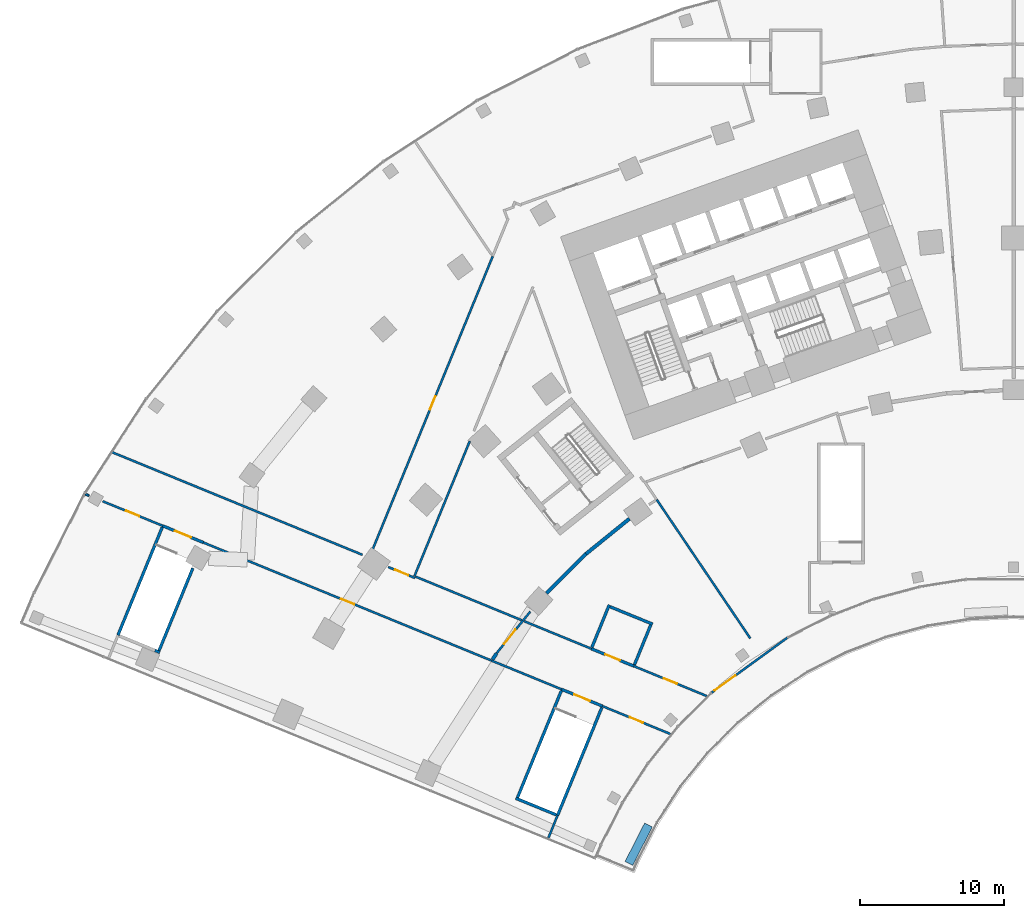
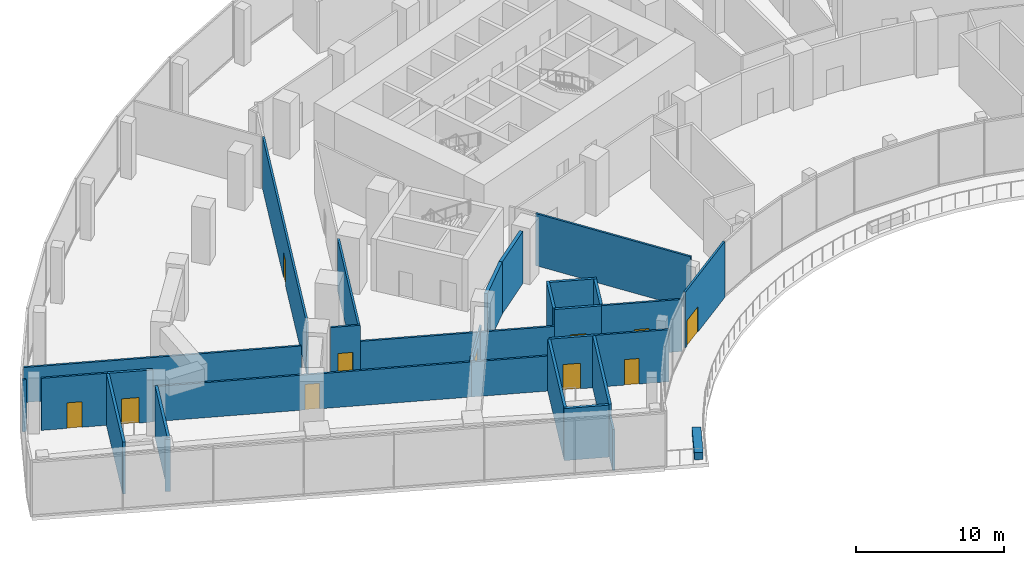
# One storey, part 22 of 33: 33 walls, 11 doors, 11 openings.
"""IFC4 building model written with IfcOpenShell, lengths in metres."""

from ifc_helpers import new_model, si_unit, direction, frame, frame_2d, origin, origin_2d, place, context, subcontext, project, spatial, rectangle, extrude, material, layer, layer_set, type_object, element, fill, save


model = new_model("IFC4")

# Units and contexts
model_context = context("Model", 3, precision=1e-05, world=origin(), true_north=direction((0.0, 1.0)))
body_context = subcontext(model_context, "Body", "Model", "MODEL_VIEW")
ifc_project = project(units=[si_unit("LENGTHUNIT", "METRE"), si_unit("AREAUNIT", "SQUARE_METRE"), si_unit("VOLUMEUNIT", "CUBIC_METRE"), si_unit("PLANEANGLEUNIT", "RADIAN"), si_unit("MASSUNIT", "GRAM", prefix="KILO")], contexts=[model_context])

# Site, building, storey
site_placement = place(None, origin())
site = spatial("IfcSite", under=ifc_project, at=site_placement, CompositionType="ELEMENT")
building_placement = place(site_placement, origin())
building = spatial("IfcBuilding", under=site, at=building_placement, Name="Stone Belt Terrace Tower", CompositionType="ELEMENT")
storey_placement = place(building_placement, frame((0.0, 0.0, 25.39990234375)))
storey = spatial("IfcBuildingStorey", under=building, at=storey_placement, Name="L05", CompositionType="ELEMENT", Elevation=25.39990234375)

# Wall, opening, door
ifc_material_1 = material(Name="Terracotta coloured glazed ceramic", Category="masonry")
ifc_layer_1 = layer(ifc_material_1, 0.14990234375)
ifc_layer_set_1 = layer_set([ifc_layer_1], Name="Ceramic rain-screen wall 150")
wall_type_1 = type_object("IfcWallType", Name="Ceramic rain-screen wall 150", PredefinedType="SOLIDWALL", material=ifc_layer_set_1)
wall_1_placement = place(storey_placement, frame((-20.999755859375, 23.372802734375, 0.0), z_axis=(0.0, 0.0, 1.0), x_axis=(0.80900554442, 0.587801011481, 0.0)))
wall_1 = element("IfcWall", 1, at=wall_1_placement, inside=storey, type_object=wall_type_1, Name="Door wall L05", PredefinedType="SOLIDWALL", context=body_context, shape_type="SweptSolid", body=[
    extrude(rectangle(XDim=6.501708984375, YDim=0.14990234375, at=frame_2d((3.2509765625, 0.0))), origin(), (0.0, 0.0, 1.0), 4.60009765625),
])
opening_1_placement = place(wall_1_placement, frame((0.25, 0.0, 0.0)))
opening_1 = element("IfcOpeningElement", 2, at=opening_1_placement, cuts=wall_1, Name="Opening L05-E01", PredefinedType="OPENING", context=body_context, shape_type="SweptSolid", body=[
    extrude(rectangle(XDim=1.800048828125, YDim=2.10009765625, at=frame_2d((0.89990234375, 1.050048828125))), frame((0.0, 0.0849609375, 0.0), z_axis=(0.0, -1.0, 0.0), x_axis=(1.0, 0.0, 0.0)), (0.0, 0.0, 1.0), 0.169921875),
])
ifc_material_2 = material(Name="Anodised aluminium glazed door", Category="aluminium")
door_type_1 = type_object("IfcDoorType", Name="Terrace double door 1800 x 2100", OperationType="DOUBLE_DOOR_DOUBLE_SWING", PredefinedType="DOOR", material=ifc_material_2)
door_1_placement = place(opening_1_placement, origin())
door_1 = element("IfcDoor", 3, at=door_1_placement, inside=storey, type_object=door_type_1, Name="Terrace door L05", OperationType="DOUBLE_DOOR_DOUBLE_SWING", OverallHeight=2.10009765625, OverallWidth=1.800048828125, PredefinedType="DOOR", context=body_context, shape_type="SweptSolid", body=[
    extrude(rectangle(XDim=1.800048828125, YDim=2.10009765625, at=frame_2d((0.89990234375, 1.050048828125))), frame((0.0, 0.02490234375, 0.0), z_axis=(0.0, -1.0, 0.0), x_axis=(1.0, 0.0, 0.0)), (0.0, 0.0, 1.0), 0.050048828125),
])
fill(opening_1, door_1)

# Walls
ifc_material_3 = material(Name="Concrete B30", Category="concrete")
ifc_layer_2 = layer(ifc_material_3, 0.25)
ifc_layer_set_2 = layer_set([ifc_layer_2], Name="Compartment wall 250")
wall_type_2 = type_object("IfcWallType", Name="Compartment wall 250", PredefinedType="SOLIDWALL", material=ifc_layer_set_2)
wall_2_placement = place(storey_placement, frame((-32.4853515625, 30.28466796875, 0.0), z_axis=(0.0, 0.0, 1.0), x_axis=(0.707106781187, 0.707106781187, 0.0)))
element("IfcWall", 4, at=wall_2_placement, inside=storey, type_object=wall_type_2, Name="Compartment wall L05 2", PredefinedType="SOLIDWALL", context=body_context, shape_type="SweptSolid", body=[
    extrude(rectangle(XDim=3.8759765625, YDim=0.25, at=frame_2d((1.93798828125, 0.0))), origin(), (0.0, 0.0, 1.0), 4.280029296875),
])
wall_3_placement = place(storey_placement, frame((-29.73486328125, 33.0341796875, 0.0), z_axis=(0.0, 0.0, 1.0), x_axis=(0.777272744525, 0.629163794746, 0.0)))
element("IfcWall", 5, at=wall_3_placement, inside=storey, type_object=wall_type_2, Name="Compartment wall L05 3", PredefinedType="SOLIDWALL", context=body_context, shape_type="SweptSolid", body=[
    extrude(rectangle(XDim=3.875244140625, YDim=0.25, at=frame_2d((1.9375, 0.0))), origin(), (0.0, 0.0, 1.0), 4.280029296875),
])
ifc_material_4 = material(Name="Fire-resistant glazing in steel frame", Category="steel")
ifc_layer_3 = layer(ifc_material_4, 0.25)
ifc_layer_set_3 = layer_set([ifc_layer_3], Name="Glazed compartment fire screen 250")
wall_type_3 = type_object("IfcWallType", Name="Glazed compartment fire screen 250", PredefinedType="PARTITIONING", material=ifc_layer_set_3)
wall_4_placement = place(storey_placement, frame((-36.2451171875, 25.68408203125, 0.0), z_axis=(0.0, 0.0, 1.0), x_axis=(0.547453853433, 0.836835873013, 0.0)))
element("IfcWall", 6, at=wall_4_placement, inside=storey, type_object=wall_type_3, Name="Compartment fire screen L05 1", PredefinedType="PARTITIONING", context=body_context, shape_type="SweptSolid", body=[
    extrude(rectangle(XDim=0.5146484375, YDim=0.25, at=frame_2d((0.25732421875, 0.0))), origin(), (0.0, 0.0, 1.0), 2.880126953125),
])
ifc_material_5 = material(Name="Precast concrete C40/50", Category="concrete")
ifc_layer_4 = layer(ifc_material_5, 0.60009765625)
ifc_layer_set_4 = layer_set([ifc_layer_4], Name="Planter box 600 x 600")
wall_type_4 = type_object("IfcWallType", Name="Planter box 600 x 600", PredefinedType="SOLIDWALL", material=ifc_layer_set_4)
wall_5_placement = place(storey_placement, frame((-26.077880859375, 12.83154296875, 0.0), z_axis=(0.0, 0.0, 1.0), x_axis=(0.45399049974, 0.891006524188, 0.0)))
element("IfcWall", 7, at=wall_5_placement, inside=storey, type_object=wall_type_4, Name="PLANTER L05 1", PredefinedType="SOLIDWALL", context=body_context, shape_type="SweptSolid", body=[
    extrude(rectangle(XDim=3.0, YDim=0.60009765625, at=origin_2d()), origin(), (0.0, 0.0, 1.0), 0.60009765625),
])
ifc_material_6 = material(Name="Reinforced blockwork wall, plastered both faces", Category="masonry")
ifc_layer_5 = layer(ifc_material_6, 0.199951171875)
ifc_layer_set_5 = layer_set([ifc_layer_5], Name="Podium lift shaft wall 200")
wall_type_5 = type_object("IfcWallType", Name="Podium lift shaft wall 200", PredefinedType="SOLIDWALL", material=ifc_layer_set_5)
wall_6_placement = place(storey_placement, frame((-29.332275390625, 26.522705078125, 0.0), z_axis=(0.0, 0.0, 1.0), x_axis=(0.378383111571, 0.92564908085, 0.0)))
element("IfcWall", 8, at=wall_6_placement, inside=storey, type_object=wall_type_5, Name="Podium lift shaft wall 200", PredefinedType="SOLIDWALL", context=body_context, shape_type="SweptSolid", body=[
    extrude(rectangle(XDim=3.19775390625, YDim=0.199951171875, at=frame_2d((1.598876953125, 0.0))), origin(), (0.0, 0.0, 1.0), 4.280029296875),
])

# Wall, opening, door
wall_7_placement = place(storey_placement, frame((-29.3701171875, 26.429931640625, 0.0), z_axis=(0.0, 0.0, 1.0), x_axis=(0.92564908085, -0.378383111571, 0.0)))
wall_7 = element("IfcWall", 9, at=wall_7_placement, inside=storey, type_object=wall_type_5, Name="Podium lift shaft wall 200", PredefinedType="SOLIDWALL", context=body_context, shape_type="SweptSolid", body=[
    extrude(rectangle(XDim=3.19775390625, YDim=0.199951171875, at=frame_2d((1.598876953125, 0.0))), origin(), (0.0, 0.0, 1.0), 4.280029296875),
])
opening_2_placement = place(wall_7_placement, frame((1.048828125, 0.0, 0.0)))
opening_2 = element("IfcOpeningElement", 10, at=opening_2_placement, cuts=wall_7, Name="Opening L05-P09", PredefinedType="OPENING", context=body_context, shape_type="SweptSolid", body=[
    extrude(rectangle(XDim=1.10009765625, YDim=2.10009765625, at=frame_2d((0.550048828125, 1.050048828125))), frame((0.0, 0.10986328125, 0.0), z_axis=(0.0, -1.0, 0.0), x_axis=(1.0, 0.0, 0.0)), (0.0, 0.0, 1.0), 0.219970703125),
])
ifc_material_7 = material(Name="Stainless steel sliding landing door leaf", Category="steel")
door_type_2 = type_object("IfcDoorType", Name="Podium landing door 1100", OperationType="SLIDING_TO_LEFT", PredefinedType="DOOR", material=ifc_material_7)
door_2_placement = place(opening_2_placement, origin())
door_2 = element("IfcDoor", 11, at=door_2_placement, inside=storey, type_object=door_type_2, Name="Podium landing door 1100", OperationType="SLIDING_TO_LEFT", OverallHeight=2.10009765625, OverallWidth=1.10009765625, PredefinedType="DOOR", context=body_context, shape_type="SweptSolid", body=[
    extrude(rectangle(XDim=1.10009765625, YDim=2.10009765625, at=frame_2d((0.550048828125, 1.050048828125))), frame((0.0, 0.02490234375, 0.0), z_axis=(0.0, -1.0, 0.0), x_axis=(1.0, 0.0, 0.0)), (0.0, 0.0, 1.0), 0.050048828125),
])
fill(opening_2, door_2)

# Walls
wall_8_placement = place(storey_placement, frame((-28.0673828125, 29.352294921875, 0.0), z_axis=(0.0, 0.0, 1.0), x_axis=(0.925622338254, -0.378448526124, 0.0)))
element("IfcWall", 12, at=wall_8_placement, inside=storey, type_object=wall_type_5, Name="Podium lift shaft wall 200", PredefinedType="SOLIDWALL", context=body_context, shape_type="SweptSolid", body=[
    extrude(rectangle(XDim=3.19775390625, YDim=0.199951171875, at=frame_2d((1.598876953125, 0.0))), origin(), (0.0, 0.0, 1.0), 4.280029296875),
])
wall_9_placement = place(storey_placement, frame((-26.372314453125, 25.3125, 0.0), z_axis=(0.0, 0.0, 1.0), x_axis=(0.378442575395, 0.925624771237, 0.0)))
element("IfcWall", 13, at=wall_9_placement, inside=storey, type_object=wall_type_5, Name="Podium lift shaft wall 200", PredefinedType="SOLIDWALL", context=body_context, shape_type="SweptSolid", body=[
    extrude(rectangle(XDim=2.997802734375, YDim=0.199951171875, at=frame_2d((1.4990234375, 0.0))), origin(), (0.0, 0.0, 1.0), 4.280029296875),
])
ifc_material_8 = material(Name="Gypsum board on steel stud partition", Category="steel")
ifc_layer_6 = layer(ifc_material_8, 0.14990234375)
ifc_layer_set_6 = layer_set([ifc_layer_6], Name="Podium partition 150")
wall_type_6 = type_object("IfcWallType", Name="Podium partition 150", PredefinedType="PARTITIONING", material=ifc_layer_set_6)
wall_10_placement = place(storey_placement, frame((-64.56005859375, 37.179931640625, 0.0), z_axis=(0.0, 0.0, 1.0), x_axis=(0.92567790555, -0.378312589238, 0.0)))
element("IfcWall", 14, at=wall_10_placement, inside=storey, type_object=wall_type_6, Name="Podium partition 150", PredefinedType="PARTITIONING", context=body_context, shape_type="SweptSolid", body=[
    extrude(rectangle(XDim=0.26708984375, YDim=0.14990234375, at=frame_2d((0.133544921875, 0.0))), origin(), (0.0, 0.0, 1.0), 4.280029296875),
])

# Wall, opening, door
wall_11_placement = place(storey_placement, frame((-63.36962890625, 36.693115234375, 0.0), z_axis=(0.0, 0.0, 1.0), x_axis=(0.925603654014, -0.378494221458, 0.0)))
wall_11 = element("IfcWall", 15, at=wall_11_placement, inside=storey, type_object=wall_type_6, Name="Podium partition 150", PredefinedType="PARTITIONING", context=body_context, shape_type="SweptSolid", body=[
    extrude(rectangle(XDim=4.526123046875, YDim=0.14990234375, at=frame_2d((2.26318359375, 0.0))), origin(), (0.0, 0.0, 1.0), 4.280029296875),
])
opening_3_placement = place(wall_11_placement, frame((1.76318359375, 0.0, 0.0)))
opening_3 = element("IfcOpeningElement", 16, at=opening_3_placement, cuts=wall_11, Name="Opening L05-P21", PredefinedType="OPENING", context=body_context, shape_type="SweptSolid", body=[
    extrude(rectangle(XDim=1.0, YDim=2.10009765625, at=frame_2d((0.5, 1.050048828125))), frame((0.0, 0.0849609375, 0.0), z_axis=(0.0, -1.0, 0.0), x_axis=(1.0, 0.0, 0.0)), (0.0, 0.0, 1.0), 0.169921875),
])
ifc_material_9 = material(Name="Steel framed door leaf", Category="steel")
door_type_3 = type_object("IfcDoorType", Name="Podium door single 1000", OperationType="SINGLE_SWING_LEFT", PredefinedType="DOOR", material=ifc_material_9)
door_3_placement = place(opening_3_placement, origin())
door_3 = element("IfcDoor", 17, at=door_3_placement, inside=storey, type_object=door_type_3, Name="Podium door single 1000", OperationType="SINGLE_SWING_LEFT", OverallHeight=2.10009765625, OverallWidth=1.0, PredefinedType="DOOR", context=body_context, shape_type="SweptSolid", body=[
    extrude(rectangle(XDim=1.0, YDim=2.10009765625, at=frame_2d((0.5, 1.050048828125))), frame((0.0, 0.02490234375, 0.0), z_axis=(0.0, -1.0, 0.0), x_axis=(1.0, 0.0, 0.0)), (0.0, 0.0, 1.0), 0.050048828125),
])
fill(opening_3, door_3)

# Wall
wall_12_placement = place(storey_placement, frame((-62.77001953125, 40.126953125, 0.0), z_axis=(0.0, 0.0, 1.0), x_axis=(0.925299264419, -0.379237750318, 0.0)))
element("IfcWall", 18, at=wall_12_placement, inside=storey, type_object=wall_type_6, Name="Podium partition 150", PredefinedType="PARTITIONING", context=body_context, shape_type="SweptSolid", body=[
    extrude(rectangle(XDim=18.887451171875, YDim=0.14990234375, at=frame_2d((9.44384765625, 0.0))), origin(), (0.0, 0.0, 1.0), 2.880126953125),
])

# Wall, opening, door
wall_13_placement = place(storey_placement, frame((-56.360107421875, 33.820068359375, 0.0), z_axis=(0.0, 0.0, 1.0), x_axis=(0.925327227709, -0.379169515733, 0.0)))
wall_13 = element("IfcWall", 19, at=wall_13_placement, inside=storey, type_object=wall_type_6, Name="Podium partition 150", PredefinedType="PARTITIONING", context=body_context, shape_type="SweptSolid", body=[
    extrude(rectangle(XDim=21.678955078125, YDim=0.14990234375, at=frame_2d((10.83935546875, 0.0))), origin(), (0.0, 0.0, 1.0), 2.880126953125),
])
opening_4_placement = place(wall_13_placement, frame((10.33935546875, 0.0, 0.0)))
opening_4 = element("IfcOpeningElement", 20, at=opening_4_placement, cuts=wall_13, Name="Opening L05-P20", PredefinedType="OPENING", context=body_context, shape_type="SweptSolid", body=[
    extrude(rectangle(XDim=1.0, YDim=2.10009765625, at=frame_2d((0.5, 1.050048828125))), frame((0.0, 0.0849609375, 0.0), z_axis=(0.0, -1.0, 0.0), x_axis=(1.0, 0.0, 0.0)), (0.0, 0.0, 1.0), 0.169921875),
])
door_4_placement = place(opening_4_placement, origin())
door_4 = element("IfcDoor", 21, at=door_4_placement, inside=storey, type_object=door_type_3, Name="Podium door single 1000", OperationType="SINGLE_SWING_RIGHT", OverallHeight=2.10009765625, OverallWidth=1.0, PredefinedType="DOOR", context=body_context, shape_type="SweptSolid", body=[
    extrude(rectangle(XDim=1.0, YDim=2.10009765625, at=frame_2d((0.5, 1.050048828125))), frame((0.0, 0.02490234375, 0.0), z_axis=(0.0, -1.0, 0.0), x_axis=(1.0, 0.0, 0.0)), (0.0, 0.0, 1.0), 0.050048828125),
])
fill(opening_4, door_4)

wall_14_placement = place(storey_placement, frame((-43.498779296875, 32.112548828125, 0.0), z_axis=(0.0, 0.0, 1.0), x_axis=(0.925401628823, -0.378987896077, 0.0)))
wall_14 = element("IfcWall", 22, at=wall_14_placement, inside=storey, type_object=wall_type_6, Name="Podium partition 150", PredefinedType="PARTITIONING", context=body_context, shape_type="SweptSolid", body=[
    extrude(rectangle(XDim=2.008056640625, YDim=0.14990234375, at=frame_2d((1.00390625, 0.0))), origin(), (0.0, 0.0, 1.0), 4.280029296875),
])
opening_5_placement = place(wall_14_placement, frame((0.504150390625, 0.0, 0.0)))
opening_5 = element("IfcOpeningElement", 23, at=opening_5_placement, cuts=wall_14, Name="Opening L05-P39", PredefinedType="OPENING", context=body_context, shape_type="SweptSolid", body=[
    extrude(rectangle(XDim=1.0, YDim=2.10009765625, at=frame_2d((0.5, 1.050048828125))), frame((0.0, 0.0849609375, 0.0), z_axis=(0.0, -1.0, 0.0), x_axis=(1.0, 0.0, 0.0)), (0.0, 0.0, 1.0), 0.169921875),
])
door_5_placement = place(opening_5_placement, origin())
door_5 = element("IfcDoor", 24, at=door_5_placement, inside=storey, type_object=door_type_3, Name="Podium door single 1000", OperationType="SINGLE_SWING_LEFT", OverallHeight=2.10009765625, OverallWidth=1.0, PredefinedType="DOOR", context=body_context, shape_type="SweptSolid", body=[
    extrude(rectangle(XDim=1.0, YDim=2.10009765625, at=frame_2d((0.5, 1.050048828125))), frame((0.0, 0.02490234375, 0.0), z_axis=(0.0, -1.0, 0.0), x_axis=(1.0, 0.0, 0.0)), (0.0, 0.0, 1.0), 0.050048828125),
])
fill(opening_5, door_5)

wall_15_placement = place(storey_placement, frame((-44.58056640625, 33.3447265625, 0.0), z_axis=(0.0, 0.0, 1.0), x_axis=(0.379066925484, 0.925369259271, 0.0)))
wall_15 = element("IfcWall", 25, at=wall_15_placement, inside=storey, type_object=wall_type_6, Name="Podium partition 150", PredefinedType="PARTITIONING", context=body_context, shape_type="SweptSolid", body=[
    extrude(rectangle(XDim=22.029296875, YDim=0.14990234375, at=frame_2d((11.0146484375, 0.0))), origin(), (0.0, 0.0, 1.0), 4.280029296875),
])
opening_6_placement = place(wall_15_placement, frame((10.5146484375, 0.0, 0.0)))
opening_6 = element("IfcOpeningElement", 26, at=opening_6_placement, cuts=wall_15, Name="Opening L05-P25", PredefinedType="OPENING", context=body_context, shape_type="SweptSolid", body=[
    extrude(rectangle(XDim=1.0, YDim=2.10009765625, at=frame_2d((0.5, 1.050048828125))), frame((0.0, 0.0849609375, 0.0), z_axis=(0.0, -1.0, 0.0), x_axis=(1.0, 0.0, 0.0)), (0.0, 0.0, 1.0), 0.169921875),
])
door_6_placement = place(opening_6_placement, origin())
door_6 = element("IfcDoor", 27, at=door_6_placement, inside=storey, type_object=door_type_3, Name="Podium door single 1000", OperationType="SINGLE_SWING_LEFT", OverallHeight=2.10009765625, OverallWidth=1.0, PredefinedType="DOOR", context=body_context, shape_type="SweptSolid", body=[
    extrude(rectangle(XDim=1.0, YDim=2.10009765625, at=frame_2d((0.5, 1.050048828125))), frame((0.0, 0.02490234375, 0.0), z_axis=(0.0, -1.0, 0.0), x_axis=(1.0, 0.0, 0.0)), (0.0, 0.0, 1.0), 0.050048828125),
])
fill(opening_6, door_6)

# Walls
wall_16_placement = place(storey_placement, frame((-41.679931640625, 31.469970703125, 0.0), z_axis=(0.0, 0.0, 1.0), x_axis=(0.379243967023, 0.925296716452, 0.0)))
element("IfcWall", 28, at=wall_16_placement, inside=storey, type_object=wall_type_6, Name="Podium partition 150", PredefinedType="PARTITIONING", context=body_context, shape_type="SweptSolid", body=[
    extrude(rectangle(XDim=10.171875, YDim=0.14990234375, at=frame_2d((5.0859375, 0.0))), origin(), (0.0, 0.0, 1.0), 4.280029296875),
])
wall_17_placement = place(storey_placement, frame((-41.60595703125, 31.44970703125, 0.0), z_axis=(0.0, 0.0, 1.0), x_axis=(0.925056479715, -0.379829579334, 0.0)))
element("IfcWall", 29, at=wall_17_placement, inside=storey, type_object=wall_type_6, Name="Podium partition 150", PredefinedType="PARTITIONING", context=body_context, shape_type="SweptSolid", body=[
    extrude(rectangle(XDim=7.981201171875, YDim=0.14990234375, at=frame_2d((3.99072265625, 0.0))), origin(), (0.0, 0.0, 1.0), 2.880126953125),
])
wall_18_placement = place(storey_placement, frame((-36.300048828125, 25.60009765625, 0.0), z_axis=(0.0, 0.0, 1.0), x_axis=(0.92530860032, -0.379214970925, 0.0)))
element("IfcWall", 30, at=wall_18_placement, inside=storey, type_object=wall_type_6, Name="Podium partition 150", PredefinedType="PARTITIONING", context=body_context, shape_type="SweptSolid", body=[
    extrude(rectangle(XDim=5.274169921875, YDim=0.14990234375, at=frame_2d((2.63720703125, 0.0))), origin(), (0.0, 0.0, 1.0), 2.880126953125),
])

# Wall, opening, door
wall_19_placement = place(storey_placement, frame((-35.95751953125, 26.123046875, 0.0), z_axis=(0.0, 0.0, 1.0), x_axis=(0.629338486516, 0.777131307688, 0.0)))
wall_19 = element("IfcWall", 31, at=wall_19_placement, inside=storey, type_object=wall_type_6, Name="Podium partition 150", PredefinedType="PARTITIONING", context=body_context, shape_type="SweptSolid", body=[
    extrude(rectangle(XDim=2.904052734375, YDim=0.14990234375, at=frame_2d((1.4521484375, 0.0))), origin(), (0.0, 0.0, 1.0), 2.880126953125),
])
opening_7_placement = place(wall_19_placement, frame((0.802001953125, 0.0, 0.0)))
opening_7 = element("IfcOpeningElement", 32, at=opening_7_placement, cuts=wall_19, Name="Opening L05-P41", PredefinedType="OPENING", context=body_context, shape_type="SweptSolid", body=[
    extrude(rectangle(XDim=1.300048828125, YDim=2.10009765625, at=frame_2d((0.64990234375, 1.050048828125))), frame((0.0, 0.0849609375, 0.0), z_axis=(0.0, -1.0, 0.0), x_axis=(1.0, 0.0, 0.0)), (0.0, 0.0, 1.0), 0.169921875),
])
ifc_material_10 = material(Name="Steel framed fire door leaf", Category="steel")
door_type_4 = type_object("IfcDoorType", Name="Fire door 1300 x 2100 EI 60", OperationType="SINGLE_SWING_LEFT", PredefinedType="DOOR", material=ifc_material_10)
door_7_placement = place(opening_7_placement, origin())
door_7 = element("IfcDoor", 33, at=door_7_placement, inside=storey, type_object=door_type_4, Name="Fire door 1300 x 2100 EI 60", OperationType="SINGLE_SWING_LEFT", OverallHeight=2.10009765625, OverallWidth=1.300048828125, PredefinedType="DOOR", context=body_context, shape_type="SweptSolid", body=[
    extrude(rectangle(XDim=1.300048828125, YDim=2.10009765625, at=frame_2d((0.64990234375, 1.050048828125))), frame((0.0, 0.02490234375, 0.0), z_axis=(0.0, -1.0, 0.0), x_axis=(1.0, 0.0, 0.0)), (0.0, 0.0, 1.0), 0.050048828125),
])
fill(opening_7, door_7)

# Walls
wall_20_placement = place(storey_placement, frame((-34.1298828125, 28.3798828125, 0.0), z_axis=(0.0, 0.0, 1.0), x_axis=(0.628683813454, 0.777661020433, 0.0)))
element("IfcWall", 34, at=wall_20_placement, inside=storey, type_object=wall_type_6, Name="Podium partition 150", PredefinedType="PARTITIONING", context=body_context, shape_type="SweptSolid", body=[
    extrude(rectangle(XDim=0.8193359375, YDim=0.14990234375, at=frame_2d((0.40966796875, 0.0))), origin(), (0.0, 0.0, 1.0), 2.880126953125),
])
wall_21_placement = place(storey_placement, frame((-34.037109375, 28.342041015625, 0.0), z_axis=(0.0, 0.0, 1.0), x_axis=(0.92534634478, -0.379122858983, 0.0)))
element("IfcWall", 35, at=wall_21_placement, inside=storey, type_object=wall_type_6, Name="Podium partition 150", PredefinedType="PARTITIONING", context=body_context, shape_type="SweptSolid", body=[
    extrude(rectangle(XDim=5.04345703125, YDim=0.14990234375, at=frame_2d((2.521728515625, 0.0))), origin(), (0.0, 0.0, 1.0), 2.880126953125),
])
wall_22_placement = place(storey_placement, frame((-32.360107421875, 13.260009765625, 0.0), z_axis=(0.0, 0.0, 1.0), x_axis=(0.375412514618, 0.926857833688, 0.0)))
element("IfcWall", 36, at=wall_22_placement, inside=storey, type_object=wall_type_6, Name="Podium partition 150", PredefinedType="PARTITIONING", context=body_context, shape_type="SweptSolid", body=[
    extrude(rectangle(XDim=1.70458984375, YDim=0.14990234375, at=frame_2d((0.852294921875, 0.0))), origin(), (0.0, 0.0, 1.0), 3.380126953125),
])

# Wall, opening, door
wall_23_placement = place(storey_placement, frame((-28.60009765625, 22.43994140625, 0.0), z_axis=(0.0, 0.0, 1.0), x_axis=(0.925207312128, -0.379462026539, 0.0)))
wall_23 = element("IfcWall", 37, at=wall_23_placement, inside=storey, type_object=wall_type_6, Name="Podium partition 150", PredefinedType="PARTITIONING", context=body_context, shape_type="SweptSolid", body=[
    extrude(rectangle(XDim=5.1123046875, YDim=0.14990234375, at=frame_2d((2.55615234375, 0.0))), origin(), (0.0, 0.0, 1.0), 4.280029296875),
])
opening_8_placement = place(wall_23_placement, frame((2.05615234375, 0.0, 0.0)))
opening_8 = element("IfcOpeningElement", 38, at=opening_8_placement, cuts=wall_23, Name="Opening L05-P19", PredefinedType="OPENING", context=body_context, shape_type="SweptSolid", body=[
    extrude(rectangle(XDim=1.0, YDim=2.10009765625, at=frame_2d((0.5, 1.050048828125))), frame((0.0, 0.0849609375, 0.0), z_axis=(0.0, -1.0, 0.0), x_axis=(1.0, 0.0, 0.0)), (0.0, 0.0, 1.0), 0.169921875),
])
door_8_placement = place(opening_8_placement, origin())
door_8 = element("IfcDoor", 39, at=door_8_placement, inside=storey, type_object=door_type_3, Name="Podium door single 1000", OperationType="SINGLE_SWING_LEFT", OverallHeight=2.10009765625, OverallWidth=1.0, PredefinedType="DOOR", context=body_context, shape_type="SweptSolid", body=[
    extrude(rectangle(XDim=1.0, YDim=2.10009765625, at=frame_2d((0.5, 1.050048828125))), frame((0.0, 0.02490234375, 0.0), z_axis=(0.0, -1.0, 0.0), x_axis=(1.0, 0.0, 0.0)), (0.0, 0.0, 1.0), 0.050048828125),
])
fill(opening_8, door_8)

wall_24_placement = place(storey_placement, frame((-26.409912109375, 25.219970703125, 0.0), z_axis=(0.0, 0.0, 1.0), x_axis=(0.925158990715, -0.37957982283, 0.0)))
wall_24 = element("IfcWall", 40, at=wall_24_placement, inside=storey, type_object=wall_type_6, Name="Podium partition 150", PredefinedType="PARTITIONING", context=body_context, shape_type="SweptSolid", body=[
    extrude(rectangle(XDim=5.47998046875, YDim=0.14990234375, at=frame_2d((2.739990234375, 0.0))), origin(), (0.0, 0.0, 1.0), 4.280029296875),
])
opening_9_placement = place(wall_24_placement, frame((2.239990234375, 0.0, 0.0)))
opening_9 = element("IfcOpeningElement", 41, at=opening_9_placement, cuts=wall_24, Name="Opening L05-P27", PredefinedType="OPENING", context=body_context, shape_type="SweptSolid", body=[
    extrude(rectangle(XDim=1.0, YDim=2.10009765625, at=frame_2d((0.5, 1.050048828125))), frame((0.0, 0.0849609375, 0.0), z_axis=(0.0, -1.0, 0.0), x_axis=(1.0, 0.0, 0.0)), (0.0, 0.0, 1.0), 0.169921875),
])
door_9_placement = place(opening_9_placement, origin())
door_9 = element("IfcDoor", 42, at=door_9_placement, inside=storey, type_object=door_type_3, Name="Podium door single 1000", OperationType="SINGLE_SWING_LEFT", OverallHeight=2.10009765625, OverallWidth=1.0, PredefinedType="DOOR", context=body_context, shape_type="SweptSolid", body=[
    extrude(rectangle(XDim=1.0, YDim=2.10009765625, at=frame_2d((0.5, 1.050048828125))), frame((0.0, 0.02490234375, 0.0), z_axis=(0.0, -1.0, 0.0), x_axis=(1.0, 0.0, 0.0)), (0.0, 0.0, 1.0), 0.050048828125),
])
fill(opening_9, door_9)

# Walls
wall_25_placement = place(storey_placement, frame((-24.820068359375, 36.7998046875, 0.0), z_axis=(0.0, 0.0, 1.0), x_axis=(0.559163479458, -0.829057418543, 0.0)))
element("IfcWall", 43, at=wall_25_placement, inside=storey, type_object=wall_type_6, Name="Podium partition 150", PredefinedType="PARTITIONING", context=body_context, shape_type="SweptSolid", body=[
    extrude(rectangle(XDim=11.630126953125, YDim=0.14990234375, at=frame_2d((5.81494140625, 0.0))), origin(), (0.0, 0.0, 1.0), 4.280029296875),
])
ifc_layer_7 = layer(ifc_material_3, 0.199951171875)
ifc_layer_set_7 = layer_set([ifc_layer_7], Name="Podium stair and shaft wall 200")
wall_type_7 = type_object("IfcWallType", Name="Podium stair and shaft wall 200", PredefinedType="SOLIDWALL", material=ifc_layer_set_7)
wall_26_placement = place(storey_placement, frame((-59.72998046875, 26.31298828125, 0.0), z_axis=(0.0, 0.0, 1.0), x_axis=(0.924841834944, -0.380351916438, 0.0)))
element("IfcWall", 44, at=wall_26_placement, inside=storey, type_object=wall_type_7, Name="Podium stair and shaft wall 200", PredefinedType="SOLIDWALL", context=body_context, shape_type="SweptSolid", body=[
    extrude(rectangle(XDim=0.370361328125, YDim=0.199951171875, at=frame_2d((0.18505859375, 0.0))), origin(), (0.0, 0.0, 1.0), 4.280029296875),
])
wall_27_placement = place(storey_placement, frame((-62.300048828125, 27.3701171875, 0.0), z_axis=(0.0, 0.0, 1.0), x_axis=(0.379345306329, 0.925255174839, 0.0)))
element("IfcWall", 45, at=wall_27_placement, inside=storey, type_object=wall_type_7, Name="Podium stair and shaft wall 200", PredefinedType="SOLIDWALL", context=body_context, shape_type="SweptSolid", body=[
    extrude(rectangle(XDim=8.12451171875, YDim=0.199951171875, at=frame_2d((4.062255859375, 0.0))), origin(), (0.0, 0.0, 1.0), 4.280029296875),
])
wall_28_placement = place(storey_placement, frame((-59.442138671875, 26.302490234375, 0.0), z_axis=(0.0, 0.0, 1.0), x_axis=(0.37933470683, 0.925259520456, 0.0)))
element("IfcWall", 46, at=wall_28_placement, inside=storey, type_object=wall_type_7, Name="Podium stair and shaft wall 200", PredefinedType="SOLIDWALL", context=body_context, shape_type="SweptSolid", body=[
    extrude(rectangle(XDim=6.18896484375, YDim=0.199951171875, at=frame_2d((3.094482421875, 0.0))), origin(), (0.0, 0.0, 1.0), 4.280029296875),
])

# Wall, opening, door
wall_29_placement = place(storey_placement, frame((-59.179931640625, 34.97998046875, 0.0), z_axis=(0.0, 0.0, 1.0), x_axis=(0.924815674246, -0.380415521068, 0.0)))
wall_29 = element("IfcWall", 47, at=wall_29_placement, inside=storey, type_object=wall_type_7, Name="Podium stair and shaft wall 200", PredefinedType="SOLIDWALL", context=body_context, shape_type="SweptSolid", body=[
    extrude(rectangle(XDim=3.049072265625, YDim=0.199951171875, at=frame_2d((1.5244140625, 0.0))), origin(), (0.0, 0.0, 1.0), 4.280029296875),
])
opening_10_placement = place(wall_29_placement, frame((0.924560546875, 0.0, 0.0)))
opening_10 = element("IfcOpeningElement", 48, at=opening_10_placement, cuts=wall_29, Name="Opening L05-P02", PredefinedType="OPENING", context=body_context, shape_type="SweptSolid", body=[
    extrude(rectangle(XDim=1.199951171875, YDim=2.10009765625, at=frame_2d((0.60009765625, 1.050048828125))), frame((0.0, 0.10986328125, 0.0), z_axis=(0.0, -1.0, 0.0), x_axis=(1.0, 0.0, 0.0)), (0.0, 0.0, 1.0), 0.219970703125),
])
door_type_5 = type_object("IfcDoorType", Name="Podium door fire stair 1200", OperationType="SINGLE_SWING_LEFT", PredefinedType="DOOR", material=ifc_material_9)
door_10_placement = place(opening_10_placement, origin())
door_10 = element("IfcDoor", 49, at=door_10_placement, inside=storey, type_object=door_type_5, Name="Podium door fire stair 1200", OperationType="SINGLE_SWING_RIGHT", OverallHeight=2.10009765625, OverallWidth=1.199951171875, PredefinedType="DOOR", context=body_context, shape_type="SweptSolid", body=[
    extrude(rectangle(XDim=1.199951171875, YDim=2.10009765625, at=frame_2d((0.60009765625, 1.050048828125))), frame((0.0, 0.02490234375, 0.0), z_axis=(0.0, -1.0, 0.0), x_axis=(1.0, 0.0, 0.0)), (0.0, 0.0, 1.0), 0.050048828125),
])
fill(opening_10, door_10)

# Walls
wall_30_placement = place(storey_placement, frame((-34.632568359375, 16.02783203125, 0.0), z_axis=(0.0, 0.0, 1.0), x_axis=(0.92595120991, -0.377643160756, 0.0)))
element("IfcWall", 50, at=wall_30_placement, inside=storey, type_object=wall_type_7, Name="Podium stair and shaft wall 200", PredefinedType="SOLIDWALL", context=body_context, shape_type="SweptSolid", body=[
    extrude(rectangle(XDim=3.045654296875, YDim=0.199951171875, at=frame_2d((1.52294921875, 0.0))), origin(), (0.0, 0.0, 1.0), 4.280029296875),
])
wall_31_placement = place(storey_placement, frame((-34.502197265625, 16.08251953125, 0.0), z_axis=(0.0, 0.0, 1.0), x_axis=(0.379344686309, 0.925255429041, 0.0)))
element("IfcWall", 51, at=wall_31_placement, inside=storey, type_object=wall_type_7, Name="Podium stair and shaft wall 200", PredefinedType="SOLIDWALL", context=body_context, shape_type="SweptSolid", body=[
    extrude(rectangle(XDim=8.02490234375, YDim=0.199951171875, at=frame_2d((4.012451171875, 0.0))), origin(), (0.0, 0.0, 1.0), 4.280029296875),
])
wall_32_placement = place(storey_placement, frame((-31.719970703125, 14.840087890625, 0.0), z_axis=(0.0, 0.0, 1.0), x_axis=(0.379778190266, 0.925077578476, 0.0)))
element("IfcWall", 52, at=wall_32_placement, inside=storey, type_object=wall_type_7, Name="Podium stair and shaft wall 200", PredefinedType="SOLIDWALL", context=body_context, shape_type="SweptSolid", body=[
    extrude(rectangle(XDim=8.115234375, YDim=0.199951171875, at=frame_2d((4.0576171875, 0.0))), origin(), (0.0, 0.0, 1.0), 4.280029296875),
])

# Wall, opening, door
wall_33_placement = place(storey_placement, frame((-31.419921875, 23.60009765625, 0.0), z_axis=(0.0, 0.0, 1.0), x_axis=(0.924787502584, -0.380484001063, 0.0)))
wall_33 = element("IfcWall", 53, at=wall_33_placement, inside=storey, type_object=wall_type_7, Name="Podium stair and shaft wall 200", PredefinedType="SOLIDWALL", context=body_context, shape_type="SweptSolid", body=[
    extrude(rectangle(XDim=3.049072265625, YDim=0.199951171875, at=frame_2d((1.5244140625, 0.0))), origin(), (0.0, 0.0, 1.0), 4.280029296875),
])
opening_11_placement = place(wall_33_placement, frame((0.924560546875, 0.0, 0.0)))
opening_11 = element("IfcOpeningElement", 54, at=opening_11_placement, cuts=wall_33, Name="Opening L05-P01", PredefinedType="OPENING", context=body_context, shape_type="SweptSolid", body=[
    extrude(rectangle(XDim=1.199951171875, YDim=2.10009765625, at=frame_2d((0.60009765625, 1.050048828125))), frame((0.0, 0.10986328125, 0.0), z_axis=(0.0, -1.0, 0.0), x_axis=(1.0, 0.0, 0.0)), (0.0, 0.0, 1.0), 0.219970703125),
])
door_11_placement = place(opening_11_placement, origin())
door_11 = element("IfcDoor", 55, at=door_11_placement, inside=storey, type_object=door_type_5, Name="Podium door fire stair 1200", OperationType="SINGLE_SWING_LEFT", OverallHeight=2.10009765625, OverallWidth=1.199951171875, PredefinedType="DOOR", context=body_context, shape_type="SweptSolid", body=[
    extrude(rectangle(XDim=1.199951171875, YDim=2.10009765625, at=frame_2d((0.60009765625, 1.050048828125))), frame((0.0, 0.02490234375, 0.0), z_axis=(0.0, -1.0, 0.0), x_axis=(1.0, 0.0, 0.0)), (0.0, 0.0, 1.0), 0.050048828125),
])
fill(opening_11, door_11)

save(model, "model.ifc")
